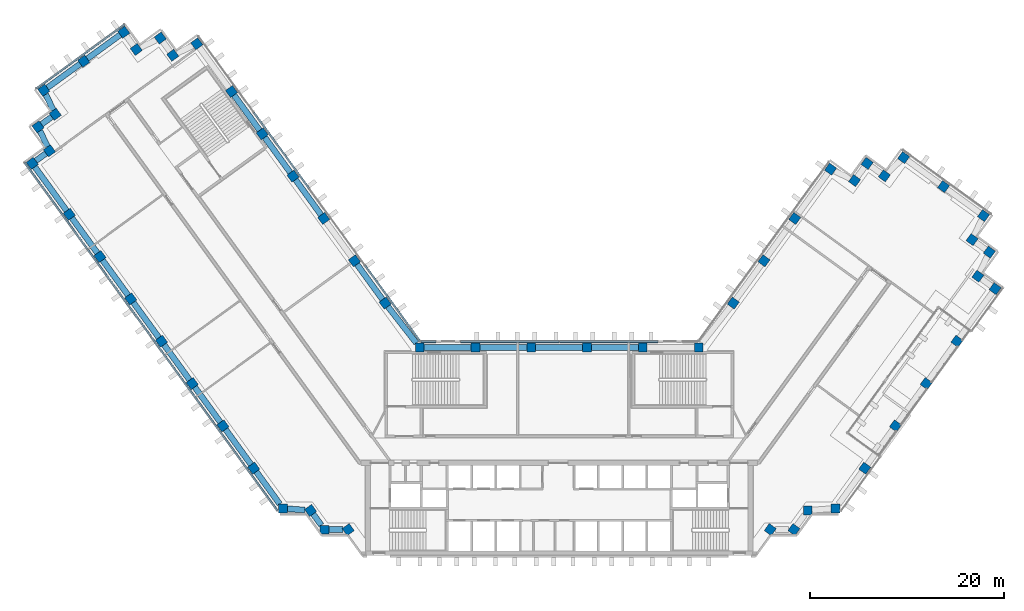
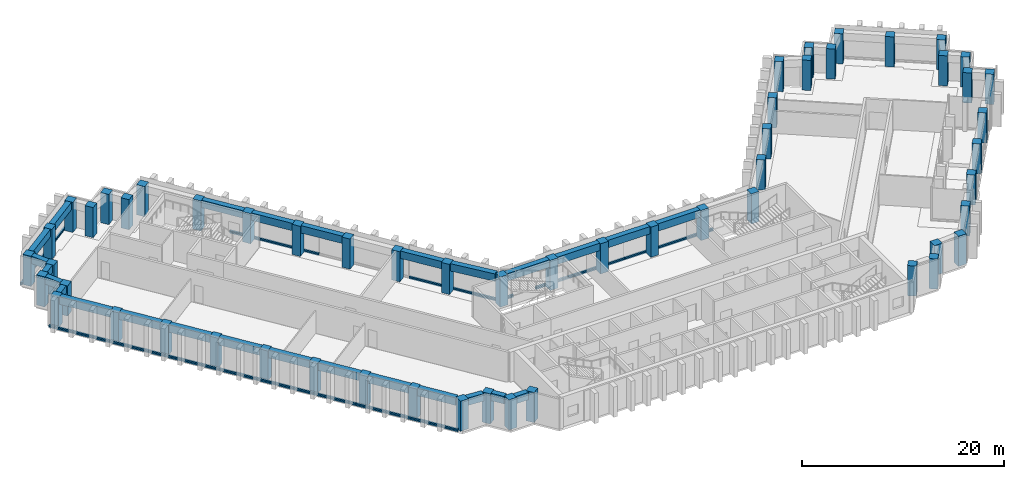
"""IFC4 building model written with IfcOpenShell, lengths in metres."""

import ifcopenshell
import ifcopenshell.guid

model = None  # the IFC model being written
_history = None  # IfcOwnerHistory: only IFC2X3 demands one
_inside = {}  # id of a spatial element -> (the spatial element, [elements in it])
_under = {}  # id of a project, library or spatial element -> (it, [spatial elements below it])
_declared = {}  # id of a project -> (the project, [libraries it declares])
_typed = {}  # id of a type object -> (the type object, [elements of that type])
_made_of = {}  # id of a material, layer set ... -> (it, [elements and type objects made of it])


def new_model(schema):
    """Start an empty IFC model of exactly this schema.

    Asked for "IFC4X3", IfcOpenShell would pick the latest addendum, in which some entities
    have other attributes; the version numbers below select the first issue.
    IFC2X3 requires an IfcOwnerHistory on every rooted entity: one is made here for all.
    """
    global model, _history
    if schema == "IFC4X3":
        model = ifcopenshell.file(schema_version=(4, 3, 0, 0))
    else:
        model = ifcopenshell.file(schema=schema)
    _inside.clear()
    _under.clear()
    _declared.clear()
    _typed.clear()
    _made_of.clear()
    _history = None
    if model.schema == "IFC2X3":
        org = make("IfcOrganization", Name="unknown")
        user = make(
            "IfcPersonAndOrganization",
            ThePerson=make("IfcPerson", FamilyName="unknown"),
            TheOrganization=org,
        )
        app = make(
            "IfcApplication",
            ApplicationDeveloper=org,
            Version="unknown",
            ApplicationFullName="unknown",
            ApplicationIdentifier="unknown",
        )
        _history = make(
            "IfcOwnerHistory",
            OwningUser=user,
            OwningApplication=app,
            ChangeAction="ADDED",
            CreationDate=0,
        )
    return model


def make(cls, **values):
    """One entity of the class cls with the attributes given. An attribute that is None is left unset."""
    return model.create_entity(
        cls, **{name: value for name, value in values.items() if value is not None}
    )


def rooted(cls, **values):
    """An entity with a GlobalId (a new one), such as an element, a storey or a relation."""
    return make(cls, GlobalId=ifcopenshell.guid.new(), OwnerHistory=_history, **values)


def si_unit(unit_type, name, prefix=None):
    """IfcSIUnit, for example si_unit("LENGTHUNIT", "METRE", prefix="MILLI")."""
    return make("IfcSIUnit", UnitType=unit_type, Prefix=prefix, Name=name)


def assignment(units):
    """IfcUnitAssignment: the units of a project."""
    return None if units is None else make("IfcUnitAssignment", Units=units)


def point(xyz):
    """IfcCartesianPoint."""
    return None if xyz is None else make("IfcCartesianPoint", Coordinates=xyz)


def direction(xyz):
    """IfcDirection."""
    return None if xyz is None else make("IfcDirection", DirectionRatios=xyz)


def frame(location, z_axis=None, x_axis=None):
    """IfcAxis2Placement3D, a coordinate frame: its origin and axes. An axis left out is left unset."""
    return make(
        "IfcAxis2Placement3D",
        Location=point(location),
        Axis=direction(z_axis),
        RefDirection=direction(x_axis),
    )


def frame_2d(location, x_axis=None):
    """IfcAxis2Placement2D, a coordinate frame in the plane: its origin and x axis."""
    return make(
        "IfcAxis2Placement2D", Location=point(location), RefDirection=direction(x_axis)
    )


def origin():
    """The frame at (0, 0, 0) with its axes left unset."""
    return frame((0.0, 0.0, 0.0))


def origin_2d():
    """The frame at (0, 0) in the plane with its x axis left unset."""
    return frame_2d((0.0, 0.0))


def place(relative_to, where):
    """IfcLocalPlacement: puts the frame where relative to a parent placement (None: the world)."""
    return make(
        "IfcLocalPlacement", PlacementRelTo=relative_to, RelativePlacement=where
    )


def context(
    kind, dimensions, precision=None, world=None, true_north=None, identifier=None
):
    """IfcGeometricRepresentationContext, for example the 3D "Model" context."""
    return make(
        "IfcGeometricRepresentationContext",
        ContextIdentifier=identifier,
        ContextType=kind,
        CoordinateSpaceDimension=dimensions,
        Precision=precision,
        WorldCoordinateSystem=world,
        TrueNorth=true_north,
    )


def subcontext(parent, identifier, kind, view, scale=None):
    """IfcGeometricRepresentationSubContext, for example "Body" below "Model"."""
    return make(
        "IfcGeometricRepresentationSubContext",
        ContextIdentifier=identifier,
        ContextType=kind,
        ParentContext=parent,
        TargetScale=scale,
        TargetView=view,
    )


def project(units=None, contexts=None):
    """IfcProject with its units and contexts."""
    return rooted(
        "IfcProject",
        Name="project",
        RepresentationContexts=contexts,
        UnitsInContext=assignment(units),
    )


def spatial(cls, under=None, at=None, **own):
    """A site, building, storey or space (cls), placed at a placement, below another one or the project."""
    s = rooted(cls, ObjectPlacement=at, **own)
    if under is not None:
        _under.setdefault(under.id(), (under, []))[1].append(s)
    return s


def profile(cls, at=None, kind="AREA", **sizes):
    """A parametric profile (cls). Its sizes go by their IFC names, for example OverallWidth=200.0."""
    return make(cls, ProfileType=kind, Position=at, **sizes)


def rectangle(**sizes):
    """IfcRectangleProfileDef."""
    return profile("IfcRectangleProfileDef", **sizes)


def extrude(swept, where, along, depth):
    """IfcExtrudedAreaSolid: the profile swept, set in the frame where, extruded along a direction by depth."""
    return make(
        "IfcExtrudedAreaSolid",
        SweptArea=swept,
        Position=where,
        ExtrudedDirection=direction(along),
        Depth=depth,
    )


def shape(context_of_items, identifier, shape_type, items):
    """IfcShapeRepresentation: the items that make up one representation, for example the "Body"."""
    return make(
        "IfcShapeRepresentation",
        ContextOfItems=context_of_items,
        RepresentationIdentifier=identifier,
        RepresentationType=shape_type,
        Items=items,
    )


def material(Name=None, Category=None):
    """IfcMaterial."""
    return make("IfcMaterial", Name=Name, Category=Category)


def material_profile(
    of_material, cross_section, Name=None, Category=None, Priority=None
):
    """IfcMaterialProfile: a cross section and its material."""
    return make(
        "IfcMaterialProfile",
        Name=Name,
        Material=of_material,
        Profile=cross_section,
        Priority=Priority,
        Category=Category,
    )


def profile_set(profiles, Name=None, composite=None):
    """IfcMaterialProfileSet."""
    return make(
        "IfcMaterialProfileSet",
        Name=Name,
        MaterialProfiles=profiles,
        CompositeProfile=composite,
    )


def made_of(thing, what):
    """Note that an element or type object is made of a material, layer set ...; save() writes the relation."""
    if what is not None:
        _made_of.setdefault(what.id(), (what, []))[1].append(thing)
    return thing


def type_object(cls, material=None, **own):
    """A type object (cls), such as IfcWallType, which elements share."""
    return made_of(rooted(cls, **own), material)


def element(
    cls,
    number,
    at=None,
    inside=None,
    cuts=None,
    type_object=None,
    material=None,
    context=None,
    identifier="Body",
    shape_type=None,
    held_by="IfcProductDefinitionShape",
    body=None,
    shapes=None,
    **own,
):
    """One element of the class cls, such as IfcWall. Its Tag is "e" and its number.

    at: its placement. inside: the storey or other place that contains it. cuts: it is an
    opening in that element (IfcRelVoidsElement). A single representation is given by context,
    identifier, shape_type and body (its items); several are given by shapes. held_by: the class
    of the entity that holds the representations. save() writes the other relations.
    """
    e = rooted(cls, Tag="e%d" % number, ObjectPlacement=at, **own)
    if body is not None:
        shapes = [shape(context, identifier, shape_type, body)]
    if shapes is not None:
        e.Representation = make(held_by, Representations=shapes)
    if inside is not None:
        _inside.setdefault(inside.id(), (inside, []))[1].append(e)
    if cuts is not None:
        rooted(
            "IfcRelVoidsElement", RelatingBuildingElement=cuts, RelatedOpeningElement=e
        )
    if type_object is not None:
        _typed.setdefault(type_object.id(), (type_object, []))[1].append(e)
    return made_of(e, material)


def aggregate(whole, parts):
    """IfcRelAggregates: a whole, such as a stair, and the parts it consists of."""
    return rooted("IfcRelAggregates", RelatingObject=whole, RelatedObjects=parts)


def save(model, path):
    """Write the relations noted so far, then the file.

    IfcRelAggregates (storeys below a building ...), IfcRelContainedInSpatialStructure (elements
    in a storey), IfcRelDefinesByType, IfcRelAssociatesMaterial and IfcRelDeclares: one each for
    every whole, place, type object, material and project.
    """
    for whole, parts in _under.values():
        aggregate(whole, parts)
    for where, things in _inside.values():
        rooted(
            "IfcRelContainedInSpatialStructure",
            RelatedElements=things,
            RelatingStructure=where,
        )
    for kind, things in _typed.values():
        rooted("IfcRelDefinesByType", RelatedObjects=things, RelatingType=kind)
    for what, things in _made_of.values():
        rooted("IfcRelAssociatesMaterial", RelatedObjects=things, RelatingMaterial=what)
    for by, libraries in _declared.values():
        rooted("IfcRelDeclares", RelatingContext=by, RelatedDefinitions=libraries)
    model.write(path)


model = new_model("IFC4")

# Units and contexts
model_context = context("Model", 3, precision=1e-05, world=origin(), true_north=direction((0.0, 1.0)))
body_context = subcontext(model_context, "Body", "Model", "MODEL_VIEW")
ifc_project = project(units=[si_unit("LENGTHUNIT", "METRE"), si_unit("AREAUNIT", "SQUARE_METRE"), si_unit("VOLUMEUNIT", "CUBIC_METRE"), si_unit("PLANEANGLEUNIT", "RADIAN"), si_unit("MASSUNIT", "GRAM", prefix="KILO")], contexts=[model_context])

# Site, building, storey
site_placement = place(None, origin())
site = spatial("IfcSite", under=ifc_project, at=site_placement, CompositionType="ELEMENT")
building_placement = place(site_placement, origin())
building = spatial("IfcBuilding", under=site, at=building_placement, Name="Quipu Civic Tower", CompositionType="ELEMENT")
storey_1_placement = place(building_placement, frame((0.0, 0.0, 97.0)))
storey_1 = spatial("IfcBuildingStorey", under=building, at=storey_1_placement, Name="L22", CompositionType="ELEMENT", Elevation=97.0)

# Columns
ifc_material_1 = material(Name="Concrete C60/75", Category="concrete")
ifc_material_profile_1 = material_profile(ifc_material_1, rectangle(XDim=0.89990234375, YDim=0.89990234375, at=origin_2d()), Name="RC900x900")
ifc_profile_set_1 = profile_set([ifc_material_profile_1], Name="Concrete C60/75")
column_type = type_object("IfcColumnType", Name="Perimeter column RC 900x900 C60/75", PredefinedType="COLUMN", material=ifc_profile_set_1)
for number, where, z_axis, x_axis, name in (
    (1, (-17.9736328125, 15.074951171875, 0.0), (0.0, 0.0, 1.0), (-0.587785252292, 0.809016994375, 0.0), "Column L22 W-IN-01"),
    (2, (-21.1474609375, 19.44384765625, 0.0), (0.0, 0.0, 1.0), (-0.587785252292, 0.809016994375, 0.0), "Column L22 W-IN-02"),
    (3, (-24.3212890625, 23.8125, 0.0), (0.0, 0.0, 1.0), (-0.587785252292, 0.809016994375, 0.0), "Column L22 W-IN-03"),
    (4, (-27.4951171875, 28.181396484375, 0.0), (0.0, 0.0, 1.0), (-0.587785252292, 0.809016994375, 0.0), "Column L22 W-IN-04"),
    (5, (-30.6689453125, 32.55029296875, 0.0), (0.0, 0.0, 1.0), (-0.587785252292, 0.809016994375, 0.0), "Column L22 W-IN-05"),
    (6, (-33.843017578125, 36.919189453125, 0.0), (0.0, 0.0, 1.0), (-0.587785252292, 0.809016994375, 0.0), "Column L22 W-IN-06"),
    (7, (-37.425048828125, 41.85009765625, 0.0), (0.0, 0.0, 1.0), (-0.587785252292, 0.809016994375, 0.0), "Column L22 T-Wi.0-W50"),
    (8, (-39.905517578125, 40.666015625, 0.0), (0.0, 0.0, 1.0), (-0.587785252292, 0.809016994375, 0.0), "Column L22 T-Wi.1-W50"),
    (9, (-41.199951171875, 42.445068359375, 0.0), (0.0, 0.0, 1.0), (-0.587785252292, 0.809016994375, 0.0), "Column L22 T-Wi.2-W50"),
    (10, (-43.674560546875, 41.264892578125, 0.0), (0.0, 0.0, 1.0), (-0.809016994375, -0.587785252292, 0.0), "Column L22 T-Wi.3-W50"),
    (11, (-44.969970703125, 43.044921875, 0.0), (0.0, 0.0, 1.0), (-0.809016994375, -0.587785252292, 0.0), "Column L22 T-Wi.4-W50"),
    (12, (-49.095703125, 40.046875, 0.0), (0.0, 0.0, 1.0), (-0.809016994375, -0.587785252292, 0.0), "Column L22 TIP-W-01-W50"),
    (13, (-53.219970703125, 37.050048828125, 0.0), (0.0, 0.0, 1.0), (0.587785252292, -0.809016994375, 0.0), "Column L22 T-Wo.0-W50"),
    (14, (-52.038818359375, 34.571044921875, 0.0), (0.0, 0.0, 1.0), (-0.809016994375, -0.587785252292, 0.0), "Column L22 T-Wo.1-W50"),
    (15, (-53.820068359375, 33.27490234375, 0.0), (0.0, 0.0, 1.0), (0.587785252292, -0.809016994375, 0.0), "Column L22 T-Wo.2-W50"),
    (16, (-52.635986328125, 30.799560546875, 0.0), (0.0, 0.0, 1.0), (-0.809016994375, -0.587785252292, 0.0), "Column L22 T-Wo.3-W50"),
    (17, (-54.4150390625, 29.5048828125, 0.0), (0.0, 0.0, 1.0), (0.587785252292, -0.809016994375, 0.0), "Column L22 T-Wo.4-W50"),
    (18, (-50.59228515625, 24.243408203125, 0.0), (0.0, 0.0, 1.0), (0.587785252292, -0.809016994375, 0.0), "Column L22 W-OUT-07"),
    (19, (-47.41845703125, 19.874755859375, 0.0), (0.0, 0.0, 1.0), (0.587785252292, -0.809016994375, 0.0), "Column L22 W-OUT-06"),
    (20, (-44.244384765625, 15.506103515625, 0.0), (0.0, 0.0, 1.0), (0.587785252292, -0.809016994375, 0.0), "Column L22 W-OUT-05"),
    (21, (-41.0703125, 11.137451171875, 0.0), (0.0, 0.0, 1.0), (0.587785252292, -0.809016994375, 0.0), "Column L22 W-OUT-04"),
    (22, (-37.896240234375, 6.768798828125, 0.0), (0.0, 0.0, 1.0), (0.587785252292, -0.809016994375, 0.0), "Column L22 W-OUT-03"),
    (23, (-34.722412109375, 2.39990234375, 0.0), (0.0, 0.0, 1.0), (0.587785252292, -0.809016994375, 0.0), "Column L22 W-OUT-02"),
    (24, (-31.54833984375, -1.96875, 0.0), (0.0, 0.0, 1.0), (0.587785252292, -0.809016994375, 0.0), "Column L22 W-OUT-01"),
    (25, (-28.52490234375, -6.1298828125, 0.0), (0.0, 0.0, 1.0), (1.0, 0.0, 0.0), "Column L22 J-Wo.0"),
    (26, (-25.67431640625, -6.3369140625, 0.0), (0.0, 0.0, 1.0), (0.587785252292, -0.809016994375, 0.0), "Column L22 J-Wo.1"),
    (27, (-24.235107421875, -8.31494140625, 0.0), (0.0, 0.0, 1.0), (1.0, 0.0, 0.0), "Column L22 J-Wo.2"),
    (28, (-21.791748046875, -8.31494140625, 0.0), (0.0, 0.0, 1.0), (0.587785252292, -0.809016994375, 0.0), "Column L22 J-Wo.3"),
    (29, (21.791748046875, -8.31494140625, 0.0), (0.0, 0.0, 1.0), (0.587785252292, 0.809016994375, 0.0), "Column L22 J-Eo.1"),
    (30, (24.235107421875, -8.31494140625, 0.0), (0.0, 0.0, 1.0), (0.587785252292, 0.809016994375, 0.0), "Column L22 J-Eo.2"),
    (31, (25.67431640625, -6.3369140625, 0.0), (0.0, 0.0, 1.0), (1.0, 0.0, 0.0), "Column L22 J-Eo.3"),
    (32, (28.52490234375, -6.1298828125, 0.0), (0.0, 0.0, 1.0), (1.0, 0.0, 0.0), "Column L22 J-Eo.4"),
    (33, (31.54833984375, -1.96875, 0.0), (0.0, 0.0, 1.0), (0.587785252292, 0.809016994375, 0.0), "Column L22 E-OUT-01"),
    (34, (34.722412109375, 2.39990234375, 0.0), (0.0, 0.0, 1.0), (0.587785252292, 0.809016994375, 0.0), "Column L22 E-OUT-02"),
    (35, (37.896240234375, 6.768798828125, 0.0), (0.0, 0.0, 1.0), (0.587785252292, 0.809016994375, 0.0), "Column L22 E-OUT-03"),
    (36, (41.0703125, 11.137451171875, 0.0), (0.0, 0.0, 1.0), (0.587785252292, 0.809016994375, 0.0), "Column L22 E-OUT-04"),
    (37, (45.010009765625, 16.56005859375, 0.0), (0.0, 0.0, 1.0), (0.587785252292, 0.809016994375, 0.0), "Column L22 T-Eo.0-E34"),
    (38, (43.23095703125, 17.8544921875, 0.0), (0.0, 0.0, 1.0), (0.587785252292, 0.809016994375, 0.0), "Column L22 T-Eo.1-E34"),
    (39, (44.4150390625, 20.3349609375, 0.0), (0.0, 0.0, 1.0), (0.587785252292, 0.809016994375, 0.0), "Column L22 T-Eo.2-E34"),
    (40, (42.635009765625, 21.626220703125, 0.0), (0.0, 0.0, 1.0), (-0.809016994375, 0.587785252292, 0.0), "Column L22 T-Eo.3-E34"),
    (41, (43.81494140625, 24.10498046875, 0.0), (0.0, 0.0, 1.0), (-0.809016994375, 0.587785252292, 0.0), "Column L22 T-Eo.4-E34"),
    (42, (39.690673828125, 27.10205078125, 0.0), (0.0, 0.0, 1.0), (-0.809016994375, 0.587785252292, 0.0), "Column L22 TIP-E-01-E34"),
    (43, (35.56494140625, 30.10009765625, 0.0), (0.0, 0.0, 1.0), (-0.587785252292, -0.809016994375, 0.0), "Column L22 T-Ei.0-E34"),
    (44, (33.573974609375, 28.20947265625, 0.0), (0.0, 0.0, 1.0), (-0.809016994375, 0.587785252292, 0.0), "Column L22 T-Ei.1-E34"),
    (45, (31.794921875, 29.5, 0.0), (0.0, 0.0, 1.0), (-0.587785252292, -0.809016994375, 0.0), "Column L22 T-Ei.2-E34"),
    (46, (30.498779296875, 27.72265625, 0.0), (0.0, 0.0, 1.0), (-0.809016994375, 0.587785252292, 0.0), "Column L22 T-Ei.3-E34"),
    (47, (28.02001953125, 28.905029296875, 0.0), (0.0, 0.0, 1.0), (-0.809016994375, 0.587785252292, 0.0), "Column L22 T-Ei.4-E34"),
    (48, (24.3212890625, 23.8125, 0.0), (0.0, 0.0, 1.0), (-0.587785252292, -0.809016994375, 0.0), "Column L22 E-IN-03"),
    (49, (21.1474609375, 19.44384765625, 0.0), (0.0, 0.0, 1.0), (-0.587785252292, -0.809016994375, 0.0), "Column L22 E-IN-02"),
    (50, (17.9736328125, 15.074951171875, 0.0), (0.0, 0.0, 1.0), (-0.587785252292, -0.809016994375, 0.0), "Column L22 E-IN-01"),
    (51, (14.395263671875, 10.5, 0.0), (0.0, 0.0, 1.0), (-1.0, 0.0, 0.0), "Column L22 J-Ei.0"),
    (52, (8.63720703125, 10.5, 0.0), (0.0, 0.0, 1.0), (-1.0, 0.0, 0.0), "Column L22 FRONT-01"),
    (53, (2.87890625, 10.5, 0.0), (0.0, 0.0, 1.0), (-1.0, 0.0, 0.0), "Column L22 FRONT-02"),
    (54, (-2.87890625, 10.5, 0.0), (0.0, 0.0, 1.0), (-1.0, 0.0, 0.0), "Column L22 FRONT-03"),
    (55, (-8.63720703125, 10.5, 0.0), (0.0, 0.0, 1.0), (-1.0, 0.0, 0.0), "Column L22 FRONT-04"),
    (56, (-14.395263671875, 10.5, 0.0), (0.0, 0.0, 1.0), (-1.0, 0.0, 0.0), "Column L22 J-Wi.0"),
):
    element("IfcColumn", number, at=place(storey_1_placement, frame(where, z_axis=z_axis, x_axis=x_axis)), inside=storey_1, type_object=column_type, Name=name, PredefinedType="COLUMN", context=body_context, shape_type="SweptSolid", body=[
        extrude(rectangle(XDim=0.89990234375, YDim=0.89990234375, at=origin_2d()), origin(), (0.0, 0.0, 1.0), 3.64990234375),
    ])

# Beams
ifc_material_2 = material(Name="Concrete C50/60", Category="concrete")
ifc_material_profile_2 = material_profile(ifc_material_2, rectangle(XDim=0.60009765625, YDim=0.89990234375, at=origin_2d()), Name="RC600x900")
ifc_profile_set_2 = profile_set([ifc_material_profile_2], Name="Concrete C50/60")
beam_type = type_object("IfcBeamType", Name="Spandrel beam RC 600x900 C50/60", PredefinedType="SPANDREL", material=ifc_profile_set_2)
for number, where, z_axis, x_axis, name in (
    (57, (-18.238037109375, 15.43896484375, 3.199951171875), (-0.587716763865, 0.809066749701, 0.0), (-0.809066749701, -0.587716763865, 0.0), "Spandrel beam L22 W-IN-01 to W-IN-02"),
    (58, (-24.585693359375, 24.1767578125, 3.199951171875), (-0.587778073121, 0.809022210299, 0.0), (-0.809022210299, -0.587778073121, 0.0), "Spandrel beam L22 W-IN-03 to W-IN-04"),
    (59, (-27.759765625, 28.545654296875, 3.199951171875), (-0.587742561851, 0.809048009076, 0.0), (-0.809048009076, -0.587742561851, 0.0), "Spandrel beam L22 W-IN-04 to W-IN-05"),
    (60, (-30.93359375, 32.914306640625, 3.199951171875), (-0.587716763865, 0.809066749701, 0.0), (-0.809066749701, -0.587716763865, 0.0), "Spandrel beam L22 W-IN-05 to W-IN-06"),
):
    element("IfcBeam", number, at=place(storey_1_placement, frame(where, z_axis=z_axis, x_axis=x_axis)), inside=storey_1, type_object=beam_type, Name=name, PredefinedType="SPANDREL", context=body_context, shape_type="SweptSolid", body=[
        extrude(rectangle(XDim=0.60009765625, YDim=0.89990234375, at=origin_2d()), origin(), (0.0, 0.0, 1.0), 4.5),
    ])
beam_1_placement = place(storey_1_placement, frame((-45.333984375, 42.780517578125, 3.199951171875), z_axis=(-0.808969789945, -0.58785021813, 0.0), x_axis=(0.58785021813, -0.808969789945, 0.0)))
element("IfcBeam", 61, at=beam_1_placement, inside=storey_1, type_object=beam_type, Name="Spandrel beam L22 T-Wi.4-W50 to TIP-W-01-W50", PredefinedType="SPANDREL", context=body_context, shape_type="SweptSolid", body=[
    extrude(rectangle(XDim=0.60009765625, YDim=0.89990234375, at=origin_2d()), origin(), (0.0, 0.0, 1.0), 4.199951171875),
])
beam_2_placement = place(storey_1_placement, frame((-49.459716796875, 39.782470703125, 3.199951171875), z_axis=(-0.808959834407, -0.587863918196, 0.0), x_axis=(0.587863918196, -0.808959834407, 0.0)))
element("IfcBeam", 62, at=beam_2_placement, inside=storey_1, type_object=beam_type, Name="Spandrel beam L22 TIP-W-01-W50 to T-Wo.0-W50", PredefinedType="SPANDREL", context=body_context, shape_type="SweptSolid", body=[
    extrude(rectangle(XDim=0.60009765625, YDim=0.89990234375, at=origin_2d()), origin(), (0.0, 0.0, 1.0), 4.1982421875),
])
beam_3_placement = place(storey_1_placement, frame((-53.023193359375, 36.63671875, 3.199951171875), z_axis=(0.430166558323, -0.902749540072, 0.0), x_axis=(0.902749540072, 0.430166558323, 0.0)))
element("IfcBeam", 63, at=beam_3_placement, inside=storey_1, type_object=beam_type, Name="Spandrel beam L22 T-Wo.0-W50 to T-Wo.1-W50", PredefinedType="SPANDREL", context=body_context, shape_type="SweptSolid", body=[
    extrude(rectangle(XDim=0.60009765625, YDim=0.89990234375, at=origin_2d()), origin(), (0.0, 0.0, 1.0), 1.830322265625),
])
beam_4_placement = place(storey_1_placement, frame((-52.40283203125, 34.306396484375, 3.199951171875), z_axis=(-0.808509099783, -0.588483674853, 0.0), x_axis=(0.588483674853, -0.808509099783, 0.0)))
element("IfcBeam", 64, at=beam_4_placement, inside=storey_1, type_object=beam_type, Name="Spandrel beam L22 T-Wo.1-W50 to T-Wo.2-W50", PredefinedType="SPANDREL", context=body_context, shape_type="SweptSolid", body=[
    extrude(rectangle(XDim=0.60009765625, YDim=0.89990234375, at=origin_2d()), origin(), (0.0, 0.0, 1.0), 1.302734375),
])
beam_5_placement = place(storey_1_placement, frame((-53.62255859375, 32.8623046875, 3.199951171875), z_axis=(0.431446050156, -0.902138739776, 0.0), x_axis=(0.902138739776, 0.431446050156, 0.0)))
element("IfcBeam", 65, at=beam_5_placement, inside=storey_1, type_object=beam_type, Name="Spandrel beam L22 T-Wo.2-W50 to T-Wo.3-W50", PredefinedType="SPANDREL", context=body_context, shape_type="SweptSolid", body=[
    extrude(rectangle(XDim=0.60009765625, YDim=0.89990234375, at=origin_2d()), origin(), (0.0, 0.0, 1.0), 1.828857421875),
])
beam_6_placement = place(storey_1_placement, frame((-53.0, 30.53466796875, 3.199951171875), z_axis=(-0.808549242423, -0.588428519514, 0.0), x_axis=(0.588428519514, -0.808549242423, 0.0)))
element("IfcBeam", 66, at=beam_6_placement, inside=storey_1, type_object=beam_type, Name="Spandrel beam L22 T-Wo.3-W50 to T-Wo.4-W50", PredefinedType="SPANDREL", context=body_context, shape_type="SweptSolid", body=[
    extrude(rectangle(XDim=0.60009765625, YDim=0.89990234375, at=origin_2d()), origin(), (0.0, 0.0, 1.0), 1.2998046875),
])
beam_7_placement = place(storey_1_placement, frame((-54.150390625, 29.140869140625, 3.199951171875), z_axis=(0.587772657145, -0.809026145135, 0.0), x_axis=(0.809026145135, 0.587772657145, 0.0)))
element("IfcBeam", 67, at=beam_7_placement, inside=storey_1, type_object=beam_type, Name="Spandrel beam L22 T-Wo.4-W50 to W-OUT-07", PredefinedType="SPANDREL", context=body_context, shape_type="SweptSolid", body=[
    extrude(rectangle(XDim=0.60009765625, YDim=0.89990234375, at=origin_2d()), origin(), (0.0, 0.0, 1.0), 5.603271484375),
])
beam_8_placement = place(storey_1_placement, frame((-50.327880859375, 23.87939453125, 3.199951171875), z_axis=(0.587778073121, -0.809022210299, 0.0), x_axis=(0.809022210299, 0.587778073121, 0.0)))
element("IfcBeam", 68, at=beam_8_placement, inside=storey_1, type_object=beam_type, Name="Spandrel beam L22 W-OUT-07 to W-OUT-06", PredefinedType="SPANDREL", context=body_context, shape_type="SweptSolid", body=[
    extrude(rectangle(XDim=0.60009765625, YDim=0.89990234375, at=origin_2d()), origin(), (0.0, 0.0, 1.0), 4.5),
])
beam_9_placement = place(storey_1_placement, frame((-47.15380859375, 19.5107421875, 3.199951171875), z_axis=(0.587803872688, -0.809003465539, 0.0), x_axis=(0.809003465539, 0.587803872688, 0.0)))
element("IfcBeam", 69, at=beam_9_placement, inside=storey_1, type_object=beam_type, Name="Spandrel beam L22 W-OUT-06 to W-OUT-05", PredefinedType="SPANDREL", context=body_context, shape_type="SweptSolid", body=[
    extrude(rectangle(XDim=0.60009765625, YDim=0.89990234375, at=origin_2d()), origin(), (0.0, 0.0, 1.0), 4.499755859375),
])
for number, where, z_axis, x_axis, name in (
    (70, (-43.97998046875, 15.14208984375, 3.199951171875), (0.587778073121, -0.809022210299, 0.0), (0.809022210299, 0.587778073121, 0.0), "Spandrel beam L22 W-OUT-05 to W-OUT-04"),
    (71, (-40.805908203125, 10.7734375, 3.199951171875), (0.587778073121, -0.809022210299, 0.0), (0.809022210299, 0.587778073121, 0.0), "Spandrel beam L22 W-OUT-04 to W-OUT-03"),
):
    element("IfcBeam", number, at=place(storey_1_placement, frame(where, z_axis=z_axis, x_axis=x_axis)), inside=storey_1, type_object=beam_type, Name=name, PredefinedType="SPANDREL", context=body_context, shape_type="SweptSolid", body=[
        extrude(rectangle(XDim=0.60009765625, YDim=0.89990234375, at=origin_2d()), origin(), (0.0, 0.0, 1.0), 4.5),
    ])
beam_10_placement = place(storey_1_placement, frame((-37.6318359375, 6.404541015625, 3.199951171875), z_axis=(0.587803872688, -0.809003465539, 0.0), x_axis=(0.809003465539, 0.587803872688, 0.0)))
element("IfcBeam", 72, at=beam_10_placement, inside=storey_1, type_object=beam_type, Name="Spandrel beam L22 W-OUT-03 to W-OUT-02", PredefinedType="SPANDREL", context=body_context, shape_type="SweptSolid", body=[
    extrude(rectangle(XDim=0.60009765625, YDim=0.89990234375, at=origin_2d()), origin(), (0.0, 0.0, 1.0), 4.499755859375),
])
beam_11_placement = place(storey_1_placement, frame((-34.457763671875, 2.035888671875, 3.199951171875), z_axis=(0.587778073121, -0.809022210299, 0.0), x_axis=(0.809022210299, 0.587778073121, 0.0)))
element("IfcBeam", 73, at=beam_11_placement, inside=storey_1, type_object=beam_type, Name="Spandrel beam L22 W-OUT-02 to W-OUT-01", PredefinedType="SPANDREL", context=body_context, shape_type="SweptSolid", body=[
    extrude(rectangle(XDim=0.60009765625, YDim=0.89990234375, at=origin_2d()), origin(), (0.0, 0.0, 1.0), 4.5),
])
beam_12_placement = place(storey_1_placement, frame((-31.28369140625, -2.332763671875, 3.199951171875), z_axis=(0.587750565781, -0.809042194464, 0.0), x_axis=(0.809042194464, 0.587750565781, 0.0)))
element("IfcBeam", 74, at=beam_12_placement, inside=storey_1, type_object=beam_type, Name="Spandrel beam L22 W-OUT-01 to J-Wo.0", PredefinedType="SPANDREL", context=body_context, shape_type="SweptSolid", body=[
    extrude(rectangle(XDim=0.60009765625, YDim=0.89990234375, at=origin_2d()), origin(), (0.0, 0.0, 1.0), 4.13720703125),
])
beam_13_placement = place(storey_1_placement, frame((-28.074951171875, -6.16259765625, 3.199951171875), z_axis=(0.997367229877, -0.072516265536, 0.0), x_axis=(0.072516265536, 0.997367229877, 0.0)))
element("IfcBeam", 75, at=beam_13_placement, inside=storey_1, type_object=beam_type, Name="Spandrel beam L22 J-Wo.0 to J-Wo.1", PredefinedType="SPANDREL", context=body_context, shape_type="SweptSolid", body=[
    extrude(rectangle(XDim=0.60009765625, YDim=0.89990234375, at=origin_2d()), origin(), (0.0, 0.0, 1.0), 1.818115234375),
])
beam_14_placement = place(storey_1_placement, frame((-25.40966796875, -6.700927734375, 3.199951171875), z_axis=(0.588433824377, -0.808545381738, 0.0), x_axis=(0.808545381738, 0.588433824377, 0.0)))
element("IfcBeam", 76, at=beam_14_placement, inside=storey_1, type_object=beam_type, Name="Spandrel beam L22 J-Wo.1 to J-Wo.2", PredefinedType="SPANDREL", context=body_context, shape_type="SweptSolid", body=[
    extrude(rectangle(XDim=0.60009765625, YDim=0.89990234375, at=origin_2d()), origin(), (0.0, 0.0, 1.0), 1.439697265625),
])
beam_15_placement = place(storey_1_placement, frame((-23.784912109375, -8.31494140625, 3.199951171875), z_axis=(1.0, 0.0, 0.0), x_axis=(0.0, 1.0, 0.0)))
element("IfcBeam", 77, at=beam_15_placement, inside=storey_1, type_object=beam_type, Name="Spandrel beam L22 J-Wo.2 to J-Wo.3", PredefinedType="SPANDREL", context=body_context, shape_type="SweptSolid", body=[
    extrude(rectangle(XDim=0.60009765625, YDim=0.89990234375, at=origin_2d()), origin(), (0.0, 0.0, 1.0), 1.436767578125),
])
for number, where, z_axis, x_axis, name in (
    (78, (8.18701171875, 10.5, 3.199951171875), (-1.0, 0.0, 0.0), (0.0, -1.0, 0.0), "Spandrel beam L22 FRONT-01 to FRONT-02"),
    (79, (2.428955078125, 10.5, 3.199951171875), (-1.0, 0.0, 0.0), (0.0, -1.0, 0.0), "Spandrel beam L22 FRONT-02 to FRONT-03"),
    (80, (-3.3291015625, 10.5, 3.199951171875), (-1.0, 0.0, 0.0), (0.0, -1.0, 0.0), "Spandrel beam L22 FRONT-03 to FRONT-04"),
):
    element("IfcBeam", number, at=place(storey_1_placement, frame(where, z_axis=z_axis, x_axis=x_axis)), inside=storey_1, type_object=beam_type, Name=name, PredefinedType="SPANDREL", context=body_context, shape_type="SweptSolid", body=[
        extrude(rectangle(XDim=0.60009765625, YDim=0.89990234375, at=origin_2d()), origin(), (0.0, 0.0, 1.0), 4.85791015625),
    ])
beam_16_placement = place(storey_1_placement, frame((-9.087158203125, 10.5, 3.199951171875), z_axis=(-1.0, 0.0, 0.0), x_axis=(0.0, -1.0, 0.0)))
element("IfcBeam", 81, at=beam_16_placement, inside=storey_1, type_object=beam_type, Name="Spandrel beam L22 FRONT-04 to J-Wi.0", PredefinedType="SPANDREL", context=body_context, shape_type="SweptSolid", body=[
    extrude(rectangle(XDim=0.60009765625, YDim=0.89990234375, at=origin_2d()), origin(), (0.0, 0.0, 1.0), 4.858154296875),
])
beam_17_placement = place(storey_1_placement, frame((-14.7470703125, 10.949951171875, 3.199951171875), z_axis=(-0.616123961998, 0.787649200756, 0.0), x_axis=(-0.787649200756, -0.616123961998, 0.0)))
element("IfcBeam", 82, at=beam_17_placement, inside=storey_1, type_object=beam_type, Name="Spandrel beam L22 J-Wi.0 to W-IN-01", PredefinedType="SPANDREL", context=body_context, shape_type="SweptSolid", body=[
    extrude(rectangle(XDim=0.60009765625, YDim=0.89990234375, at=origin_2d()), origin(), (0.0, 0.0, 1.0), 4.78662109375),
])

# Storey
storey_2_placement = place(building_placement, frame((0.0, 0.0, 89.0)))
storey_2 = spatial("IfcBuildingStorey", under=building, at=storey_2_placement, Name="L20", CompositionType="ELEMENT", Elevation=89.0)

# Curtain wall, members
ifc_material_3 = material(Name="Insulated glass unit", Category="glass")
curtain_wall_type = type_object("IfcCurtainWallType", Name="Office curtain wall CW1", PredefinedType="NOTDEFINED", material=ifc_material_3)
curtain_wall_1_placement = place(storey_2_placement, origin())
curtain_wall_1 = element("IfcCurtainWall", 83, at=curtain_wall_1_placement, inside=storey_2, type_object=curtain_wall_type, Name="Office curtain wall CW1 L19 run 14", PredefinedType="NOTDEFINED")
ifc_material_4 = material(Name="Anodised aluminium", Category="aluminium")
ifc_material_profile_3 = material_profile(ifc_material_4, rectangle(XDim=0.199951171875, YDim=0.159912109375, at=origin_2d()), Name="RECT 200x160")
ifc_profile_set_3 = profile_set([ifc_material_profile_3], Name="Anodised aluminium")
member_type = type_object("IfcMemberType", Name="Transom CW1", PredefinedType="USERDEFINED", material=ifc_profile_set_3)
member_1_placement = place(storey_1_placement, frame((10.18359375, 11.10009765625, 0.0), z_axis=(-1.0, 0.0, 0.0), x_axis=(0.0, -1.0, 0.0)))
member_1 = element("IfcMember", 84, at=member_1_placement, inside=storey_1, type_object=member_type, Name="CW1 transom 1.4", ObjectType="TRANSOM", PredefinedType="USERDEFINED", context=body_context, shape_type="SweptSolid", body=[
    extrude(rectangle(XDim=0.199951171875, YDim=0.159912109375, at=origin_2d()), origin(), (0.0, 0.0, 1.0), 10.1435546875),
])
member_2_placement = place(storey_1_placement, frame((-0.0400390625, 11.10009765625, 0.0), z_axis=(-1.0, 0.0, 0.0), x_axis=(0.0, -1.0, 0.0)))
member_2 = element("IfcMember", 85, at=member_2_placement, inside=storey_1, type_object=member_type, Name="CW1 transom 2.4", ObjectType="TRANSOM", PredefinedType="USERDEFINED", context=body_context, shape_type="SweptSolid", body=[
    extrude(rectangle(XDim=0.199951171875, YDim=0.159912109375, at=origin_2d()), origin(), (0.0, 0.0, 1.0), 10.1435546875),
])
aggregate(curtain_wall_1, [member_1, member_2])

# Curtain wall, member
curtain_wall_2_placement = place(storey_2_placement, origin())
curtain_wall_2 = element("IfcCurtainWall", 86, at=curtain_wall_2_placement, inside=storey_2, type_object=curtain_wall_type, Name="Office curtain wall CW1 L19 run 16", PredefinedType="NOTDEFINED")
member_3_placement = place(storey_1_placement, frame((-12.735107421875, 11.10009765625, 0.0), z_axis=(-1.0, 0.0, 0.0), x_axis=(0.0, -1.0, 0.0)))
member_3 = element("IfcMember", 87, at=member_3_placement, inside=storey_1, type_object=member_type, Name="CW1 transom 1.4", ObjectType="TRANSOM", PredefinedType="USERDEFINED", context=body_context, shape_type="SweptSolid", body=[
    extrude(rectangle(XDim=0.199951171875, YDim=0.159912109375, at=origin_2d()), origin(), (0.0, 0.0, 1.0), 1.529052734375),
])
aggregate(curtain_wall_2, [member_3])

# Curtain wall, members
curtain_wall_3_placement = place(storey_2_placement, origin())
curtain_wall_3 = element("IfcCurtainWall", 88, at=curtain_wall_3_placement, inside=storey_2, type_object=curtain_wall_type, Name="Office curtain wall CW1 L19 run 17", PredefinedType="NOTDEFINED")
member_4_placement = place(storey_1_placement, frame((-14.39111328125, 11.164794921875, 0.0), z_axis=(-0.58779220199, 0.809011945079, 0.0), x_axis=(-0.809011945079, -0.58779220199, 0.0)))
member_4 = element("IfcMember", 89, at=member_4_placement, inside=storey_1, type_object=member_type, Name="CW1 transom 1.4", ObjectType="TRANSOM", PredefinedType="USERDEFINED", context=body_context, shape_type="SweptSolid", body=[
    extrude(rectangle(XDim=0.199951171875, YDim=0.159912109375, at=origin_2d()), origin(), (0.0, 0.0, 1.0), 9.64111328125),
])
member_5_placement = place(storey_1_placement, frame((-25.842529296875, 26.926025390625, 0.0), z_axis=(-0.58778177227, 0.809019522748, 0.0), x_axis=(-0.809019522748, -0.58778177227, 0.0)))
member_5 = element("IfcMember", 90, at=member_5_placement, inside=storey_1, type_object=member_type, Name="CW1 transom 3.4", ObjectType="TRANSOM", PredefinedType="USERDEFINED", context=body_context, shape_type="SweptSolid", body=[
    extrude(rectangle(XDim=0.199951171875, YDim=0.159912109375, at=origin_2d()), origin(), (0.0, 0.0, 1.0), 9.68115234375),
])
aggregate(curtain_wall_3, [member_4, member_5])

# Curtain wall, member
curtain_wall_4_placement = place(storey_2_placement, origin())
curtain_wall_4 = element("IfcCurtainWall", 91, at=curtain_wall_4_placement, inside=storey_2, type_object=curtain_wall_type, Name="Office curtain wall CW1 L19 run 22", PredefinedType="NOTDEFINED")
member_6_placement = place(storey_1_placement, frame((-44.9013671875, 43.8349609375, 0.0), z_axis=(-0.809032792449, -0.587763507495, 0.0), x_axis=(0.587763507495, -0.809032792449, 0.0)))
member_6 = element("IfcMember", 92, at=member_6_placement, inside=storey_1, type_object=member_type, Name="CW1 transom 1.4", ObjectType="TRANSOM", PredefinedType="USERDEFINED", context=body_context, shape_type="SweptSolid", body=[
    extrude(rectangle(XDim=0.199951171875, YDim=0.159912109375, at=origin_2d()), origin(), (0.0, 0.0, 1.0), 11.239990234375),
])
aggregate(curtain_wall_4, [member_6])

# Curtain wall, members
curtain_wall_5_placement = place(storey_2_placement, origin())
curtain_wall_5 = element("IfcCurtainWall", 93, at=curtain_wall_5_placement, inside=storey_2, type_object=curtain_wall_type, Name="Office curtain wall CW1 L19 run 27", PredefinedType="NOTDEFINED")
member_7_placement = place(storey_1_placement, frame((-55.20703125, 29.573974609375, 0.0), z_axis=(0.587779179422, -0.809021406539, 0.0), x_axis=(0.809021406539, 0.587779179422, 0.0)))
member_7 = element("IfcMember", 94, at=member_7_placement, inside=storey_1, type_object=member_type, Name="CW1 transom 1.4", ObjectType="TRANSOM", PredefinedType="USERDEFINED", context=body_context, shape_type="SweptSolid", body=[
    extrude(rectangle(XDim=0.199951171875, YDim=0.159912109375, at=origin_2d()), origin(), (0.0, 0.0, 1.0), 11.02294921875),
])
member_8_placement = place(storey_1_placement, frame((-48.68115234375, 20.591552734375, 0.0), z_axis=(0.587795037589, -0.80900988485, 0.0), x_axis=(0.80900988485, 0.587795037589, 0.0)))
member_8 = element("IfcMember", 95, at=member_8_placement, inside=storey_1, type_object=member_type, Name="CW1 transom 2.4", ObjectType="TRANSOM", PredefinedType="USERDEFINED", context=body_context, shape_type="SweptSolid", body=[
    extrude(rectangle(XDim=0.199951171875, YDim=0.159912109375, at=origin_2d()), origin(), (0.0, 0.0, 1.0), 11.062744140625),
])
member_9_placement = place(storey_1_placement, frame((-42.131591796875, 11.576904296875, 0.0), z_axis=(0.587795037589, -0.80900988485, 0.0), x_axis=(0.80900988485, 0.587795037589, 0.0)))
member_9 = element("IfcMember", 96, at=member_9_placement, inside=storey_1, type_object=member_type, Name="CW1 transom 3.4", ObjectType="TRANSOM", PredefinedType="USERDEFINED", context=body_context, shape_type="SweptSolid", body=[
    extrude(rectangle(XDim=0.199951171875, YDim=0.159912109375, at=origin_2d()), origin(), (0.0, 0.0, 1.0), 11.062744140625),
])
member_10_placement = place(storey_1_placement, frame((-35.58203125, 2.562255859375, 0.0), z_axis=(0.587779179422, -0.809021406539, 0.0), x_axis=(0.809021406539, 0.587779179422, 0.0)))
member_10 = element("IfcMember", 97, at=member_10_placement, inside=storey_1, type_object=member_type, Name="CW1 transom 4.4", ObjectType="TRANSOM", PredefinedType="USERDEFINED", context=body_context, shape_type="SweptSolid", body=[
    extrude(rectangle(XDim=0.199951171875, YDim=0.159912109375, at=origin_2d()), origin(), (0.0, 0.0, 1.0), 11.02294921875),
])
aggregate(curtain_wall_5, [member_7, member_8, member_9, member_10])

# Storey
storey_3_placement = place(building_placement, frame((0.0, 0.0, 101.0)))
storey_3 = spatial("IfcBuildingStorey", under=building, at=storey_3_placement, Name="L23", CompositionType="ELEMENT", Elevation=101.0)

# Curtain wall, members
curtain_wall_6_placement = place(storey_3_placement, origin())
curtain_wall_6 = element("IfcCurtainWall", 98, at=curtain_wall_6_placement, inside=storey_3, type_object=curtain_wall_type, Name="Office curtain wall CW1 L22 run 10", PredefinedType="NOTDEFINED")
member_11_placement = place(storey_1_placement, frame((-14.39111328125, 11.164794921875, 0.159912109375), z_axis=(-0.58779220199, 0.809011945079, 0.0), x_axis=(-0.809011945079, -0.58779220199, 0.0)))
member_11 = element("IfcMember", 99, at=member_11_placement, inside=storey_1, type_object=member_type, Name="CW1 transom 1.1", ObjectType="TRANSOM", PredefinedType="USERDEFINED", context=body_context, shape_type="SweptSolid", body=[
    extrude(rectangle(XDim=0.199951171875, YDim=0.159912109375, at=origin_2d()), origin(), (0.0, 0.0, 1.0), 9.64111328125),
])
member_12_placement = place(storey_1_placement, frame((-25.842529296875, 26.926025390625, 0.159912109375), z_axis=(-0.58778177227, 0.809019522748, 0.0), x_axis=(-0.809019522748, -0.58778177227, 0.0)))
member_12 = element("IfcMember", 100, at=member_12_placement, inside=storey_1, type_object=member_type, Name="CW1 transom 3.1", ObjectType="TRANSOM", PredefinedType="USERDEFINED", context=body_context, shape_type="SweptSolid", body=[
    extrude(rectangle(XDim=0.199951171875, YDim=0.159912109375, at=origin_2d()), origin(), (0.0, 0.0, 1.0), 9.68115234375),
])
aggregate(curtain_wall_6, [member_11, member_12])

# Curtain wall, member
curtain_wall_7_placement = place(storey_3_placement, origin())
curtain_wall_7 = element("IfcCurtainWall", 101, at=curtain_wall_7_placement, inside=storey_3, type_object=curtain_wall_type, Name="Office curtain wall CW1 L22 run 15", PredefinedType="NOTDEFINED")
member_13_placement = place(storey_1_placement, frame((-44.9013671875, 43.8349609375, 0.159912109375), z_axis=(-0.809032792449, -0.587763507495, 0.0), x_axis=(0.587763507495, -0.809032792449, 0.0)))
member_13 = element("IfcMember", 102, at=member_13_placement, inside=storey_1, type_object=member_type, Name="CW1 transom 1.1", ObjectType="TRANSOM", PredefinedType="USERDEFINED", context=body_context, shape_type="SweptSolid", body=[
    extrude(rectangle(XDim=0.199951171875, YDim=0.159912109375, at=origin_2d()), origin(), (0.0, 0.0, 1.0), 11.239990234375),
])
aggregate(curtain_wall_7, [member_13])

# Curtain wall, members
curtain_wall_8_placement = place(storey_3_placement, origin())
curtain_wall_8 = element("IfcCurtainWall", 103, at=curtain_wall_8_placement, inside=storey_3, type_object=curtain_wall_type, Name="Office curtain wall CW1 L22 run 20", PredefinedType="NOTDEFINED")
member_14_placement = place(storey_1_placement, frame((-55.20703125, 29.573974609375, 0.159912109375), z_axis=(0.587779179422, -0.809021406539, 0.0), x_axis=(0.809021406539, 0.587779179422, 0.0)))
member_14 = element("IfcMember", 104, at=member_14_placement, inside=storey_1, type_object=member_type, Name="CW1 transom 1.1", ObjectType="TRANSOM", PredefinedType="USERDEFINED", context=body_context, shape_type="SweptSolid", body=[
    extrude(rectangle(XDim=0.199951171875, YDim=0.159912109375, at=origin_2d()), origin(), (0.0, 0.0, 1.0), 11.02294921875),
])
member_15_placement = place(storey_1_placement, frame((-48.68115234375, 20.591552734375, 0.159912109375), z_axis=(0.587795037589, -0.80900988485, 0.0), x_axis=(0.80900988485, 0.587795037589, 0.0)))
member_15 = element("IfcMember", 105, at=member_15_placement, inside=storey_1, type_object=member_type, Name="CW1 transom 2.1", ObjectType="TRANSOM", PredefinedType="USERDEFINED", context=body_context, shape_type="SweptSolid", body=[
    extrude(rectangle(XDim=0.199951171875, YDim=0.159912109375, at=origin_2d()), origin(), (0.0, 0.0, 1.0), 11.062744140625),
])
member_16_placement = place(storey_1_placement, frame((-42.131591796875, 11.576904296875, 0.159912109375), z_axis=(0.587795037589, -0.80900988485, 0.0), x_axis=(0.80900988485, 0.587795037589, 0.0)))
member_16 = element("IfcMember", 106, at=member_16_placement, inside=storey_1, type_object=member_type, Name="CW1 transom 3.1", ObjectType="TRANSOM", PredefinedType="USERDEFINED", context=body_context, shape_type="SweptSolid", body=[
    extrude(rectangle(XDim=0.199951171875, YDim=0.159912109375, at=origin_2d()), origin(), (0.0, 0.0, 1.0), 11.062744140625),
])
member_17_placement = place(storey_1_placement, frame((-35.58203125, 2.562255859375, 0.159912109375), z_axis=(0.587779179422, -0.809021406539, 0.0), x_axis=(0.809021406539, 0.587779179422, 0.0)))
member_17 = element("IfcMember", 107, at=member_17_placement, inside=storey_1, type_object=member_type, Name="CW1 transom 4.1", ObjectType="TRANSOM", PredefinedType="USERDEFINED", context=body_context, shape_type="SweptSolid", body=[
    extrude(rectangle(XDim=0.199951171875, YDim=0.159912109375, at=origin_2d()), origin(), (0.0, 0.0, 1.0), 11.02294921875),
])
aggregate(curtain_wall_8, [member_14, member_15, member_16, member_17])

curtain_wall_9_placement = place(storey_3_placement, origin())
curtain_wall_9 = element("IfcCurtainWall", 108, at=curtain_wall_9_placement, inside=storey_3, type_object=curtain_wall_type, Name="Office curtain wall CW1 L22 run 39", PredefinedType="NOTDEFINED")
member_18_placement = place(storey_1_placement, frame((10.18359375, 11.10009765625, 0.159912109375), z_axis=(-1.0, 0.0, 0.0), x_axis=(0.0, -1.0, 0.0)))
member_18 = element("IfcMember", 109, at=member_18_placement, inside=storey_1, type_object=member_type, Name="CW1 transom 1.1", ObjectType="TRANSOM", PredefinedType="USERDEFINED", context=body_context, shape_type="SweptSolid", body=[
    extrude(rectangle(XDim=0.199951171875, YDim=0.159912109375, at=origin_2d()), origin(), (0.0, 0.0, 1.0), 10.1435546875),
])
member_19_placement = place(storey_1_placement, frame((-0.0400390625, 11.10009765625, 0.159912109375), z_axis=(-1.0, 0.0, 0.0), x_axis=(0.0, -1.0, 0.0)))
member_19 = element("IfcMember", 110, at=member_19_placement, inside=storey_1, type_object=member_type, Name="CW1 transom 2.1", ObjectType="TRANSOM", PredefinedType="USERDEFINED", context=body_context, shape_type="SweptSolid", body=[
    extrude(rectangle(XDim=0.199951171875, YDim=0.159912109375, at=origin_2d()), origin(), (0.0, 0.0, 1.0), 10.1435546875),
])
aggregate(curtain_wall_9, [member_18, member_19])

# Curtain wall, member
curtain_wall_10_placement = place(storey_3_placement, origin())
curtain_wall_10 = element("IfcCurtainWall", 111, at=curtain_wall_10_placement, inside=storey_3, type_object=curtain_wall_type, Name="Office curtain wall CW1 L22 run 41", PredefinedType="NOTDEFINED")
member_20_placement = place(storey_1_placement, frame((-12.735107421875, 11.10009765625, 0.159912109375), z_axis=(-1.0, 0.0, 0.0), x_axis=(0.0, -1.0, 0.0)))
member_20 = element("IfcMember", 112, at=member_20_placement, inside=storey_1, type_object=member_type, Name="CW1 transom 1.1", ObjectType="TRANSOM", PredefinedType="USERDEFINED", context=body_context, shape_type="SweptSolid", body=[
    extrude(rectangle(XDim=0.199951171875, YDim=0.159912109375, at=origin_2d()), origin(), (0.0, 0.0, 1.0), 1.529052734375),
])
aggregate(curtain_wall_10, [member_20])

save(model, "model.ifc")
